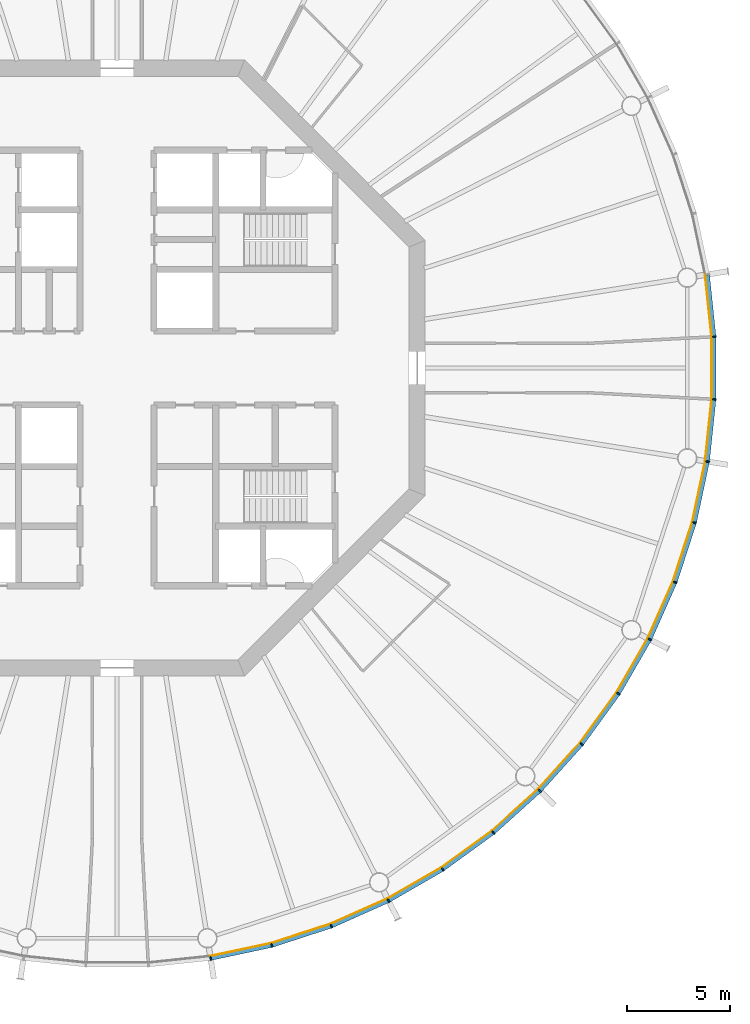
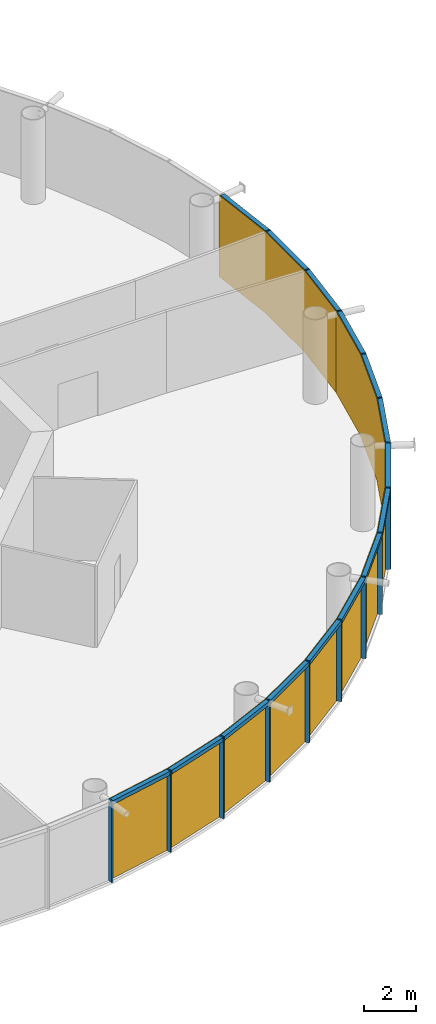
# One storey, part 13 of 17: 30 members, 5 curtain walls.
"""IFC4 building model written with IfcOpenShell, lengths in metres."""

import ifcopenshell
import ifcopenshell.guid

model = None  # the IFC model being written
_history = None  # IfcOwnerHistory: only IFC2X3 demands one
_inside = {}  # id of a spatial element -> (the spatial element, [elements in it])
_under = {}  # id of a project, library or spatial element -> (it, [spatial elements below it])
_declared = {}  # id of a project -> (the project, [libraries it declares])
_typed = {}  # id of a type object -> (the type object, [elements of that type])
_made_of = {}  # id of a material, layer set ... -> (it, [elements and type objects made of it])


def new_model(schema):
    """Start an empty IFC model of exactly this schema.

    Asked for "IFC4X3", IfcOpenShell would pick the latest addendum, in which some entities
    have other attributes; the version numbers below select the first issue.
    IFC2X3 requires an IfcOwnerHistory on every rooted entity: one is made here for all.
    """
    global model, _history
    if schema == "IFC4X3":
        model = ifcopenshell.file(schema_version=(4, 3, 0, 0))
    else:
        model = ifcopenshell.file(schema=schema)
    _inside.clear()
    _under.clear()
    _declared.clear()
    _typed.clear()
    _made_of.clear()
    _history = None
    if model.schema == "IFC2X3":
        org = make("IfcOrganization", Name="unknown")
        user = make(
            "IfcPersonAndOrganization",
            ThePerson=make("IfcPerson", FamilyName="unknown"),
            TheOrganization=org,
        )
        app = make(
            "IfcApplication",
            ApplicationDeveloper=org,
            Version="unknown",
            ApplicationFullName="unknown",
            ApplicationIdentifier="unknown",
        )
        _history = make(
            "IfcOwnerHistory",
            OwningUser=user,
            OwningApplication=app,
            ChangeAction="ADDED",
            CreationDate=0,
        )
    return model


def make(cls, **values):
    """One entity of the class cls with the attributes given. An attribute that is None is left unset."""
    return model.create_entity(
        cls, **{name: value for name, value in values.items() if value is not None}
    )


def rooted(cls, **values):
    """An entity with a GlobalId (a new one), such as an element, a storey or a relation."""
    return make(cls, GlobalId=ifcopenshell.guid.new(), OwnerHistory=_history, **values)


def si_unit(unit_type, name, prefix=None):
    """IfcSIUnit, for example si_unit("LENGTHUNIT", "METRE", prefix="MILLI")."""
    return make("IfcSIUnit", UnitType=unit_type, Prefix=prefix, Name=name)


def assignment(units):
    """IfcUnitAssignment: the units of a project."""
    return None if units is None else make("IfcUnitAssignment", Units=units)


def point(xyz):
    """IfcCartesianPoint."""
    return None if xyz is None else make("IfcCartesianPoint", Coordinates=xyz)


def direction(xyz):
    """IfcDirection."""
    return None if xyz is None else make("IfcDirection", DirectionRatios=xyz)


def frame(location, z_axis=None, x_axis=None):
    """IfcAxis2Placement3D, a coordinate frame: its origin and axes. An axis left out is left unset."""
    return make(
        "IfcAxis2Placement3D",
        Location=point(location),
        Axis=direction(z_axis),
        RefDirection=direction(x_axis),
    )


def frame_2d(location, x_axis=None):
    """IfcAxis2Placement2D, a coordinate frame in the plane: its origin and x axis."""
    return make(
        "IfcAxis2Placement2D", Location=point(location), RefDirection=direction(x_axis)
    )


def origin():
    """The frame at (0, 0, 0) with its axes left unset."""
    return frame((0.0, 0.0, 0.0))


def origin_2d():
    """The frame at (0, 0) in the plane with its x axis left unset."""
    return frame_2d((0.0, 0.0))


def place(relative_to, where):
    """IfcLocalPlacement: puts the frame where relative to a parent placement (None: the world)."""
    return make(
        "IfcLocalPlacement", PlacementRelTo=relative_to, RelativePlacement=where
    )


def context(
    kind, dimensions, precision=None, world=None, true_north=None, identifier=None
):
    """IfcGeometricRepresentationContext, for example the 3D "Model" context."""
    return make(
        "IfcGeometricRepresentationContext",
        ContextIdentifier=identifier,
        ContextType=kind,
        CoordinateSpaceDimension=dimensions,
        Precision=precision,
        WorldCoordinateSystem=world,
        TrueNorth=true_north,
    )


def subcontext(parent, identifier, kind, view, scale=None):
    """IfcGeometricRepresentationSubContext, for example "Body" below "Model"."""
    return make(
        "IfcGeometricRepresentationSubContext",
        ContextIdentifier=identifier,
        ContextType=kind,
        ParentContext=parent,
        TargetScale=scale,
        TargetView=view,
    )


def project(units=None, contexts=None):
    """IfcProject with its units and contexts."""
    return rooted(
        "IfcProject",
        Name="project",
        RepresentationContexts=contexts,
        UnitsInContext=assignment(units),
    )


def spatial(cls, under=None, at=None, **own):
    """A site, building, storey or space (cls), placed at a placement, below another one or the project."""
    s = rooted(cls, ObjectPlacement=at, **own)
    if under is not None:
        _under.setdefault(under.id(), (under, []))[1].append(s)
    return s


def polyline(points):
    """IfcPolyline through the points."""
    return make("IfcPolyline", Points=[point(p) for p in points])


def profile(cls, at=None, kind="AREA", **sizes):
    """A parametric profile (cls). Its sizes go by their IFC names, for example OverallWidth=200.0."""
    return make(cls, ProfileType=kind, Position=at, **sizes)


def rectangle(**sizes):
    """IfcRectangleProfileDef."""
    return profile("IfcRectangleProfileDef", **sizes)


def outline(outer, holes=None, kind="AREA"):
    """IfcArbitraryClosedProfileDef: a profile drawn as a closed curve; with holes, ...WithVoids."""
    if holes is None:
        return make("IfcArbitraryClosedProfileDef", ProfileType=kind, OuterCurve=outer)
    return make(
        "IfcArbitraryProfileDefWithVoids",
        ProfileType=kind,
        OuterCurve=outer,
        InnerCurves=holes,
    )


def extrude(swept, where, along, depth):
    """IfcExtrudedAreaSolid: the profile swept, set in the frame where, extruded along a direction by depth."""
    return make(
        "IfcExtrudedAreaSolid",
        SweptArea=swept,
        Position=where,
        ExtrudedDirection=direction(along),
        Depth=depth,
    )


def shape(context_of_items, identifier, shape_type, items):
    """IfcShapeRepresentation: the items that make up one representation, for example the "Body"."""
    return make(
        "IfcShapeRepresentation",
        ContextOfItems=context_of_items,
        RepresentationIdentifier=identifier,
        RepresentationType=shape_type,
        Items=items,
    )


def material(Name=None, Category=None):
    """IfcMaterial."""
    return make("IfcMaterial", Name=Name, Category=Category)


def layer(
    of_material, thickness, ventilated=None, Name=None, Category=None, Priority=None
):
    """IfcMaterialLayer: one layer of a wall or slab, of a material (None: an air gap)."""
    return make(
        "IfcMaterialLayer",
        Material=of_material,
        LayerThickness=thickness,
        IsVentilated=ventilated,
        Name=Name,
        Category=Category,
        Priority=Priority,
    )


def layer_set(layers, Name=None):
    """IfcMaterialLayerSet."""
    return make("IfcMaterialLayerSet", MaterialLayers=layers, LayerSetName=Name)


def material_profile(
    of_material, cross_section, Name=None, Category=None, Priority=None
):
    """IfcMaterialProfile: a cross section and its material."""
    return make(
        "IfcMaterialProfile",
        Name=Name,
        Material=of_material,
        Profile=cross_section,
        Priority=Priority,
        Category=Category,
    )


def profile_set(profiles, Name=None, composite=None):
    """IfcMaterialProfileSet."""
    return make(
        "IfcMaterialProfileSet",
        Name=Name,
        MaterialProfiles=profiles,
        CompositeProfile=composite,
    )


def made_of(thing, what):
    """Note that an element or type object is made of a material, layer set ...; save() writes the relation."""
    if what is not None:
        _made_of.setdefault(what.id(), (what, []))[1].append(thing)
    return thing


def type_object(cls, material=None, **own):
    """A type object (cls), such as IfcWallType, which elements share."""
    return made_of(rooted(cls, **own), material)


def element(
    cls,
    number,
    at=None,
    inside=None,
    cuts=None,
    type_object=None,
    material=None,
    context=None,
    identifier="Body",
    shape_type=None,
    held_by="IfcProductDefinitionShape",
    body=None,
    shapes=None,
    **own,
):
    """One element of the class cls, such as IfcWall. Its Tag is "e" and its number.

    at: its placement. inside: the storey or other place that contains it. cuts: it is an
    opening in that element (IfcRelVoidsElement). A single representation is given by context,
    identifier, shape_type and body (its items); several are given by shapes. held_by: the class
    of the entity that holds the representations. save() writes the other relations.
    """
    e = rooted(cls, Tag="e%d" % number, ObjectPlacement=at, **own)
    if body is not None:
        shapes = [shape(context, identifier, shape_type, body)]
    if shapes is not None:
        e.Representation = make(held_by, Representations=shapes)
    if inside is not None:
        _inside.setdefault(inside.id(), (inside, []))[1].append(e)
    if cuts is not None:
        rooted(
            "IfcRelVoidsElement", RelatingBuildingElement=cuts, RelatedOpeningElement=e
        )
    if type_object is not None:
        _typed.setdefault(type_object.id(), (type_object, []))[1].append(e)
    return made_of(e, material)


def aggregate(whole, parts):
    """IfcRelAggregates: a whole, such as a stair, and the parts it consists of."""
    return rooted("IfcRelAggregates", RelatingObject=whole, RelatedObjects=parts)


def save(model, path):
    """Write the relations noted so far, then the file.

    IfcRelAggregates (storeys below a building ...), IfcRelContainedInSpatialStructure (elements
    in a storey), IfcRelDefinesByType, IfcRelAssociatesMaterial and IfcRelDeclares: one each for
    every whole, place, type object, material and project.
    """
    for whole, parts in _under.values():
        aggregate(whole, parts)
    for where, things in _inside.values():
        rooted(
            "IfcRelContainedInSpatialStructure",
            RelatedElements=things,
            RelatingStructure=where,
        )
    for kind, things in _typed.values():
        rooted("IfcRelDefinesByType", RelatedObjects=things, RelatingType=kind)
    for what, things in _made_of.values():
        rooted("IfcRelAssociatesMaterial", RelatedObjects=things, RelatingMaterial=what)
    for by, libraries in _declared.values():
        rooted("IfcRelDeclares", RelatingContext=by, RelatedDefinitions=libraries)
    model.write(path)


model = new_model("IFC4")

# Units and contexts
model_context = context("Model", 3, precision=1e-05, world=origin(), true_north=direction((0.0, 1.0)))
body_context = subcontext(model_context, "Body", "Model", "MODEL_VIEW")
ifc_project = project(units=[si_unit("LENGTHUNIT", "METRE"), si_unit("AREAUNIT", "SQUARE_METRE"), si_unit("VOLUMEUNIT", "CUBIC_METRE"), si_unit("PLANEANGLEUNIT", "RADIAN"), si_unit("MASSUNIT", "GRAM", prefix="KILO")], contexts=[model_context])

# Member
ifc_material_1 = material(Name="Anodised aluminium", Category="aluminium")
ifc_material_profile_1 = material_profile(ifc_material_1, rectangle(XDim=0.06494140625, YDim=0.195068359375, at=origin_2d()), Name="Mullion 65 x 195 mm anodised aluminium")
ifc_profile_set_1 = profile_set([ifc_material_profile_1], Name="Anodised aluminium")
member_type_1 = type_object("IfcMemberType", Name="Mullion 65 x 195 mm anodised aluminium", PredefinedType="MULLION", material=ifc_profile_set_1)
site_placement = place(None, origin())
building_placement = place(site_placement, origin())
storey_placement = place(building_placement, frame((0.0, 0.0, 306.0)))
member_1_placement = place(storey_placement, frame((94.5517578125, 51.2607421875, 0.0), z_axis=(0.0, 0.0, 1.0), x_axis=(0.987688340595, 0.15643446504, 0.0)))
member_1 = element("IfcMember", 1, at=member_1_placement, type_object=member_type_1, Name="MULLION L70-45", PredefinedType="MULLION", context=body_context, shape_type="SweptSolid", body=[
    extrude(rectangle(XDim=0.06494140625, YDim=0.195068359375, at=origin_2d()), origin(), (0.0, 0.0, 1.0), 3.85009765625),
])

member_2_placement = place(storey_placement, frame((97.531005859375, 51.89404296875, 0.0), z_axis=(0.0, 0.0, 1.0), x_axis=(0.965925826289, 0.258819045103, 0.0)))
member_2 = element("IfcMember", 2, at=member_2_placement, type_object=member_type_1, Name="MULLION L70-46", PredefinedType="MULLION", context=body_context, shape_type="SweptSolid", body=[
    extrude(rectangle(XDim=0.06494140625, YDim=0.195068359375, at=origin_2d()), origin(), (0.0, 0.0, 1.0), 3.85009765625),
])

member_3_placement = place(storey_placement, frame((100.427490234375, 52.835205078125, 0.0), z_axis=(0.0, 0.0, 1.0), x_axis=(0.933580426497, 0.358367949545, 0.0)))
member_3 = element("IfcMember", 3, at=member_3_placement, type_object=member_type_1, Name="MULLION L70-47", PredefinedType="MULLION", context=body_context, shape_type="SweptSolid", body=[
    extrude(rectangle(XDim=0.06494140625, YDim=0.195068359375, at=origin_2d()), origin(), (0.0, 0.0, 1.0), 3.85009765625),
])

member_4_placement = place(storey_placement, frame((103.2099609375, 54.073974609375, 0.0), z_axis=(0.0, 0.0, 1.0), x_axis=(0.891006524188, 0.45399049974, 0.0)))
member_4 = element("IfcMember", 4, at=member_4_placement, type_object=member_type_1, Name="MULLION L70-48", PredefinedType="MULLION", context=body_context, shape_type="SweptSolid", body=[
    extrude(rectangle(XDim=0.06494140625, YDim=0.195068359375, at=origin_2d()), origin(), (0.0, 0.0, 1.0), 3.85009765625),
])

member_5_placement = place(storey_placement, frame((105.84765625, 55.5966796875, 0.0), z_axis=(0.0, 0.0, 1.0), x_axis=(0.838670567945, 0.544639035015, 0.0)))
member_5 = element("IfcMember", 5, at=member_5_placement, type_object=member_type_1, Name="MULLION L70-49", PredefinedType="MULLION", context=body_context, shape_type="SweptSolid", body=[
    extrude(rectangle(XDim=0.06494140625, YDim=0.195068359375, at=origin_2d()), origin(), (0.0, 0.0, 1.0), 3.85009765625),
])

member_6_placement = place(storey_placement, frame((108.311767578125, 57.386962890625, 0.0), z_axis=(0.0, 0.0, 1.0), x_axis=(0.777145961457, 0.62932039105, 0.0)))
member_6 = element("IfcMember", 6, at=member_6_placement, type_object=member_type_1, Name="MULLION L70-50", PredefinedType="MULLION", context=body_context, shape_type="SweptSolid", body=[
    extrude(rectangle(XDim=0.06494140625, YDim=0.195068359375, at=origin_2d()), origin(), (0.0, 0.0, 1.0), 3.85009765625),
])

member_7_placement = place(storey_placement, frame((110.574951171875, 59.425048828125, 0.0), z_axis=(0.0, 0.0, 1.0), x_axis=(0.707106781187, 0.707106781187, 0.0)))
member_7 = element("IfcMember", 7, at=member_7_placement, type_object=member_type_1, Name="MULLION L70-51", PredefinedType="MULLION", context=body_context, shape_type="SweptSolid", body=[
    extrude(rectangle(XDim=0.06494140625, YDim=0.195068359375, at=origin_2d()), origin(), (0.0, 0.0, 1.0), 3.85009765625),
])

member_8_placement = place(storey_placement, frame((112.613037109375, 61.688232421875, 0.0), z_axis=(0.0, 0.0, 1.0), x_axis=(0.62932039105, 0.777145961457, 0.0)))
member_8 = element("IfcMember", 8, at=member_8_placement, type_object=member_type_1, Name="MULLION L70-52", PredefinedType="MULLION", context=body_context, shape_type="SweptSolid", body=[
    extrude(rectangle(XDim=0.06494140625, YDim=0.195068359375, at=origin_2d()), origin(), (0.0, 0.0, 1.0), 3.85009765625),
])

member_9_placement = place(storey_placement, frame((114.4033203125, 64.15234375, 0.0), z_axis=(0.0, 0.0, 1.0), x_axis=(0.544639035015, 0.838670567945, 0.0)))
member_9 = element("IfcMember", 9, at=member_9_placement, type_object=member_type_1, Name="MULLION L70-53", PredefinedType="MULLION", context=body_context, shape_type="SweptSolid", body=[
    extrude(rectangle(XDim=0.06494140625, YDim=0.195068359375, at=origin_2d()), origin(), (0.0, 0.0, 1.0), 3.85009765625),
])

member_10_placement = place(storey_placement, frame((115.926025390625, 66.7900390625, 0.0), z_axis=(0.0, 0.0, 1.0), x_axis=(0.45399049974, 0.891006524188, 0.0)))
member_10 = element("IfcMember", 10, at=member_10_placement, type_object=member_type_1, Name="MULLION L70-54", PredefinedType="MULLION", context=body_context, shape_type="SweptSolid", body=[
    extrude(rectangle(XDim=0.06494140625, YDim=0.195068359375, at=origin_2d()), origin(), (0.0, 0.0, 1.0), 3.85009765625),
])

member_11_placement = place(storey_placement, frame((117.164794921875, 69.572509765625, 0.0), z_axis=(0.0, 0.0, 1.0), x_axis=(0.358367949545, 0.933580426497, 0.0)))
member_11 = element("IfcMember", 11, at=member_11_placement, type_object=member_type_1, Name="MULLION L70-55", PredefinedType="MULLION", context=body_context, shape_type="SweptSolid", body=[
    extrude(rectangle(XDim=0.06494140625, YDim=0.195068359375, at=origin_2d()), origin(), (0.0, 0.0, 1.0), 3.85009765625),
])

member_12_placement = place(storey_placement, frame((118.10595703125, 72.468994140625, 0.0), z_axis=(0.0, 0.0, 1.0), x_axis=(0.258819045103, 0.965925826289, 0.0)))
member_12 = element("IfcMember", 12, at=member_12_placement, type_object=member_type_1, Name="MULLION L70-56", PredefinedType="MULLION", context=body_context, shape_type="SweptSolid", body=[
    extrude(rectangle(XDim=0.06494140625, YDim=0.195068359375, at=origin_2d()), origin(), (0.0, 0.0, 1.0), 3.85009765625),
])

member_13_placement = place(storey_placement, frame((118.7392578125, 75.4482421875, 0.0), z_axis=(0.0, 0.0, 1.0), x_axis=(0.15643446504, 0.987688340595, 0.0)))
member_13 = element("IfcMember", 13, at=member_13_placement, type_object=member_type_1, Name="MULLION L70-57", PredefinedType="MULLION", context=body_context, shape_type="SweptSolid", body=[
    extrude(rectangle(XDim=0.06494140625, YDim=0.195068359375, at=origin_2d()), origin(), (0.0, 0.0, 1.0), 3.85009765625),
])

member_14_placement = place(storey_placement, frame((119.0576171875, 78.47705078125, 0.0), z_axis=(0.0, 0.0, 1.0), x_axis=(0.052335956243, 0.998629534755, 0.0)))
member_14 = element("IfcMember", 14, at=member_14_placement, type_object=member_type_1, Name="MULLION L70-58", PredefinedType="MULLION", context=body_context, shape_type="SweptSolid", body=[
    extrude(rectangle(XDim=0.06494140625, YDim=0.195068359375, at=origin_2d()), origin(), (0.0, 0.0, 1.0), 3.85009765625),
])

member_15_placement = place(storey_placement, frame((119.0576171875, 81.52294921875, 0.0), z_axis=(0.0, 0.0, 1.0), x_axis=(-0.052335956243, 0.998629534755, 0.0)))
member_15 = element("IfcMember", 15, at=member_15_placement, type_object=member_type_1, Name="MULLION L70-59", PredefinedType="MULLION", context=body_context, shape_type="SweptSolid", body=[
    extrude(rectangle(XDim=0.06494140625, YDim=0.195068359375, at=origin_2d()), origin(), (0.0, 0.0, 1.0), 3.85009765625),
])

ifc_material_2 = material(Name="Anodised aluminium", Category="aluminium")
ifc_material_profile_2 = material_profile(ifc_material_2, rectangle(XDim=0.195068359375, YDim=0.179931640625, at=origin_2d()), Name="Transom 180 x 195 mm anodised aluminium")
ifc_profile_set_2 = profile_set([ifc_material_profile_2], Name="Anodised aluminium")
member_type_2 = type_object("IfcMemberType", Name="Transom 180 x 195 mm anodised aluminium", PredefinedType="USERDEFINED", material=ifc_profile_set_2)
member_16_placement = place(storey_placement, frame((94.588623046875, 51.268310546875, 3.760009765625), z_axis=(0.978141510112, 0.207940342877, 0.0), x_axis=(-0.207940342877, 0.978141510112, 0.0)))
member_16 = element("IfcMember", 16, at=member_16_placement, type_object=member_type_2, Name="TRANSOM L70-45", ObjectType="TRANSOM", PredefinedType="USERDEFINED", context=body_context, shape_type="SweptSolid", body=[
    extrude(rectangle(XDim=0.195068359375, YDim=0.179931640625, at=origin_2d()), origin(), (0.0, 0.0, 1.0), 2.970458984375),
])

member_17_placement = place(storey_placement, frame((97.56689453125, 51.905517578125, 3.760009765625), z_axis=(0.951047960094, 0.309043326415, 0.0), x_axis=(-0.309043326415, 0.951047960094, 0.0)))
member_17 = element("IfcMember", 17, at=member_17_placement, type_object=member_type_2, Name="TRANSOM L70-46", ObjectType="TRANSOM", PredefinedType="USERDEFINED", context=body_context, shape_type="SweptSolid", body=[
    extrude(rectangle(XDim=0.195068359375, YDim=0.179931640625, at=origin_2d()), origin(), (0.0, 0.0, 1.0), 2.970458984375),
])

member_18_placement = place(storey_placement, frame((100.4619140625, 52.850341796875, 3.760009765625), z_axis=(0.913550406593, 0.406725527369, 0.0), x_axis=(-0.406725527369, 0.913550406593, 0.0)))
member_18 = element("IfcMember", 18, at=member_18_placement, type_object=member_type_2, Name="TRANSOM L70-47", ObjectType="TRANSOM", PredefinedType="USERDEFINED", context=body_context, shape_type="SweptSolid", body=[
    extrude(rectangle(XDim=0.195068359375, YDim=0.179931640625, at=origin_2d()), origin(), (0.0, 0.0, 1.0), 2.970703125),
])

member_19_placement = place(storey_placement, frame((103.24267578125, 54.092529296875, 3.760009765625), z_axis=(0.866009025146, 0.500028367561, 0.0), x_axis=(-0.500028367561, 0.866009025146, 0.0)))
member_19 = element("IfcMember", 19, at=member_19_placement, type_object=member_type_2, Name="TRANSOM L70-48", ObjectType="TRANSOM", PredefinedType="USERDEFINED", context=body_context, shape_type="SweptSolid", body=[
    extrude(rectangle(XDim=0.195068359375, YDim=0.179931640625, at=origin_2d()), origin(), (0.0, 0.0, 1.0), 2.970458984375),
])

member_20_placement = place(storey_placement, frame((105.878173828125, 55.618896484375, 3.760009765625), z_axis=(0.809030990733, 0.587765987476, 0.0), x_axis=(-0.587765987476, 0.809030990733, 0.0)))
member_20 = element("IfcMember", 20, at=member_20_placement, type_object=member_type_2, Name="TRANSOM L70-49", ObjectType="TRANSOM", PredefinedType="USERDEFINED", context=body_context, shape_type="SweptSolid", body=[
    extrude(rectangle(XDim=0.195068359375, YDim=0.179931640625, at=origin_2d()), origin(), (0.0, 0.0, 1.0), 2.97021484375),
])

member_21_placement = place(storey_placement, frame((108.339599609375, 57.412109375, 3.760009765625), z_axis=(0.743163354343, 0.669110027395, 0.0), x_axis=(-0.669110027395, 0.743163354343, 0.0)))
member_21 = element("IfcMember", 21, at=member_21_placement, type_object=member_type_2, Name="TRANSOM L70-50", ObjectType="TRANSOM", PredefinedType="USERDEFINED", context=body_context, shape_type="SweptSolid", body=[
    extrude(rectangle(XDim=0.195068359375, YDim=0.179931640625, at=origin_2d()), origin(), (0.0, 0.0, 1.0), 2.970458984375),
])

member_22_placement = place(storey_placement, frame((110.600341796875, 59.452880859375, 3.760009765625), z_axis=(0.669110027395, 0.743163354343, 0.0), x_axis=(-0.743163354343, 0.669110027395, 0.0)))
member_22 = element("IfcMember", 22, at=member_22_placement, type_object=member_type_2, Name="TRANSOM L70-51", ObjectType="TRANSOM", PredefinedType="USERDEFINED", context=body_context, shape_type="SweptSolid", body=[
    extrude(rectangle(XDim=0.195068359375, YDim=0.179931640625, at=origin_2d()), origin(), (0.0, 0.0, 1.0), 2.970458984375),
])

member_23_placement = place(storey_placement, frame((112.63525390625, 61.71875, 3.760009765625), z_axis=(0.587765987476, 0.809030990733, 0.0), x_axis=(-0.809030990733, 0.587765987476, 0.0)))
member_23 = element("IfcMember", 23, at=member_23_placement, type_object=member_type_2, Name="TRANSOM L70-52", ObjectType="TRANSOM", PredefinedType="USERDEFINED", context=body_context, shape_type="SweptSolid", body=[
    extrude(rectangle(XDim=0.195068359375, YDim=0.179931640625, at=origin_2d()), origin(), (0.0, 0.0, 1.0), 2.97021484375),
])

member_24_placement = place(storey_placement, frame((114.422119140625, 64.184814453125, 3.760009765625), z_axis=(0.500028367561, 0.866009025146, 0.0), x_axis=(-0.866009025146, 0.500028367561, 0.0)))
member_24 = element("IfcMember", 24, at=member_24_placement, type_object=member_type_2, Name="TRANSOM L70-53", ObjectType="TRANSOM", PredefinedType="USERDEFINED", context=body_context, shape_type="SweptSolid", body=[
    extrude(rectangle(XDim=0.195068359375, YDim=0.179931640625, at=origin_2d()), origin(), (0.0, 0.0, 1.0), 2.970458984375),
])

member_25_placement = place(storey_placement, frame((115.94140625, 66.82421875, 3.760009765625), z_axis=(0.406725527369, 0.913550406593, 0.0), x_axis=(-0.913550406593, 0.406725527369, 0.0)))
member_25 = element("IfcMember", 25, at=member_25_placement, type_object=member_type_2, Name="TRANSOM L70-54", ObjectType="TRANSOM", PredefinedType="USERDEFINED", context=body_context, shape_type="SweptSolid", body=[
    extrude(rectangle(XDim=0.195068359375, YDim=0.179931640625, at=origin_2d()), origin(), (0.0, 0.0, 1.0), 2.970703125),
])

member_26_placement = place(storey_placement, frame((117.176513671875, 69.608154296875, 3.760009765625), z_axis=(0.309043326415, 0.951047960094, 0.0), x_axis=(-0.951047960094, 0.309043326415, 0.0)))
member_26 = element("IfcMember", 26, at=member_26_placement, type_object=member_type_2, Name="TRANSOM L70-55", ObjectType="TRANSOM", PredefinedType="USERDEFINED", context=body_context, shape_type="SweptSolid", body=[
    extrude(rectangle(XDim=0.195068359375, YDim=0.179931640625, at=origin_2d()), origin(), (0.0, 0.0, 1.0), 2.970458984375),
])

member_27_placement = place(storey_placement, frame((118.114013671875, 72.505859375, 3.760009765625), z_axis=(0.207940342877, 0.978141510112, 0.0), x_axis=(-0.978141510112, 0.207940342877, 0.0)))
member_27 = element("IfcMember", 27, at=member_27_placement, type_object=member_type_2, Name="TRANSOM L70-56", ObjectType="TRANSOM", PredefinedType="USERDEFINED", context=body_context, shape_type="SweptSolid", body=[
    extrude(rectangle(XDim=0.195068359375, YDim=0.179931640625, at=origin_2d()), origin(), (0.0, 0.0, 1.0), 2.970458984375),
])

member_28_placement = place(storey_placement, frame((118.743408203125, 75.485595703125, 3.760009765625), z_axis=(0.104466577987, 0.994528397827, 0.0), x_axis=(-0.994528397827, 0.104466577987, 0.0)))
member_28 = element("IfcMember", 28, at=member_28_placement, type_object=member_type_2, Name="TRANSOM L70-57", ObjectType="TRANSOM", PredefinedType="USERDEFINED", context=body_context, shape_type="SweptSolid", body=[
    extrude(rectangle(XDim=0.195068359375, YDim=0.179931640625, at=origin_2d()), origin(), (0.0, 0.0, 1.0), 2.970458984375),
])

member_29_placement = place(storey_placement, frame((119.057861328125, 78.5146484375, 3.760009765625), z_axis=(0.0, 1.0, 0.0), x_axis=(-1.0, 0.0, 0.0)))
member_29 = element("IfcMember", 29, at=member_29_placement, type_object=member_type_2, Name="TRANSOM L70-58", ObjectType="TRANSOM", PredefinedType="USERDEFINED", context=body_context, shape_type="SweptSolid", body=[
    extrude(rectangle(XDim=0.195068359375, YDim=0.179931640625, at=origin_2d()), origin(), (0.0, 0.0, 1.0), 2.970703125),
])

member_30_placement = place(storey_placement, frame((119.0537109375, 81.560302734375, 3.760009765625), z_axis=(-0.104466577987, 0.994528397827, 0.0), x_axis=(-0.994528397827, -0.104466577987, 0.0)))
member_30 = element("IfcMember", 30, at=member_30_placement, type_object=member_type_2, Name="TRANSOM L70-59", ObjectType="TRANSOM", PredefinedType="USERDEFINED", context=body_context, shape_type="SweptSolid", body=[
    extrude(rectangle(XDim=0.195068359375, YDim=0.179931640625, at=origin_2d()), origin(), (0.0, 0.0, 1.0), 2.970458984375),
])

# Site, building, storey
site = spatial("IfcSite", under=ifc_project, at=site_placement, CompositionType="ELEMENT")
building = spatial("IfcBuilding", under=site, at=building_placement, Name="Entoto Ring Tower", CompositionType="ELEMENT")
storey = spatial("IfcBuildingStorey", under=building, at=storey_placement, Name="L70", CompositionType="ELEMENT", Elevation=306.0)

# Curtain wall
ifc_material_3 = material(Name="Clear low-iron glass", Category="glass")
ifc_layer = layer(ifc_material_3, 0.033935546875)
ifc_layer_set = layer_set([ifc_layer], Name="Clear low-iron glass")
curtain_wall_type = type_object("IfcCurtainWallType", Name="Curtain wall system CW5 glazing 34 mm", PredefinedType="NOTDEFINED", material=ifc_layer_set)
curtain_wall_1_placement = place(storey_placement, origin())
curtain_wall_1 = element("IfcCurtainWall", 31, at=curtain_wall_1_placement, inside=storey, type_object=curtain_wall_type, Name="CW5 L70-16", PredefinedType="NOTDEFINED", context=body_context, shape_type="SweptSolid", body=[
    extrude(outline(polyline([(94.53662109375, 51.35693359375), (97.505859375, 51.988037109375), (100.392578125, 52.92626953125), (103.165771484375, 54.160888671875), (103.150146484375, 54.191162109375), (100.38037109375, 52.9580078125), (97.496826171875, 52.02099609375), (94.53125, 51.390625), (94.53662109375, 51.35693359375)])), origin(), (0.0, 0.0, 1.0), 3.85009765625),
])

aggregate(curtain_wall_1, [member_1, member_2, member_3, member_16, member_17, member_18])

curtain_wall_2_placement = place(storey_placement, origin())
curtain_wall_2 = element("IfcCurtainWall", 32, at=curtain_wall_2_placement, inside=storey, type_object=curtain_wall_type, Name="CW5 L70-17", PredefinedType="NOTDEFINED", context=body_context, shape_type="SweptSolid", body=[
    extrude(outline(polyline([(103.165771484375, 54.160888671875), (105.79443359375, 55.678466796875), (108.250244140625, 57.462646484375), (110.506103515625, 59.493896484375), (110.48193359375, 59.51806640625), (108.228759765625, 57.4892578125), (105.77587890625, 55.70703125), (103.150146484375, 54.191162109375), (103.165771484375, 54.160888671875)])), origin(), (0.0, 0.0, 1.0), 3.85009765625),
])

aggregate(curtain_wall_2, [member_4, member_5, member_6, member_19, member_20, member_21])

curtain_wall_3_placement = place(storey_placement, origin())
curtain_wall_3 = element("IfcCurtainWall", 33, at=curtain_wall_3_placement, inside=storey, type_object=curtain_wall_type, Name="CW5 L70-18", PredefinedType="NOTDEFINED", context=body_context, shape_type="SweptSolid", body=[
    extrude(outline(polyline([(110.506103515625, 59.493896484375), (112.537353515625, 61.749755859375), (114.321533203125, 64.20556640625), (115.839111328125, 66.834228515625), (115.808837890625, 66.849853515625), (114.29296875, 64.22412109375), (112.5107421875, 61.771240234375), (110.48193359375, 59.51806640625), (110.506103515625, 59.493896484375)])), origin(), (0.0, 0.0, 1.0), 3.85009765625),
])

aggregate(curtain_wall_3, [member_7, member_8, member_9, member_22, member_23, member_24])

curtain_wall_4_placement = place(storey_placement, origin())
curtain_wall_4 = element("IfcCurtainWall", 34, at=curtain_wall_4_placement, inside=storey, type_object=curtain_wall_type, Name="CW5 L70-19", PredefinedType="NOTDEFINED", context=body_context, shape_type="SweptSolid", body=[
    extrude(outline(polyline([(115.839111328125, 66.834228515625), (117.07373046875, 69.607421875), (118.011962890625, 72.494140625), (118.64306640625, 75.46337890625), (118.609375, 75.46875), (117.97900390625, 72.503173828125), (117.0419921875, 69.61962890625), (115.808837890625, 66.849853515625), (115.839111328125, 66.834228515625)])), origin(), (0.0, 0.0, 1.0), 3.85009765625),
])

aggregate(curtain_wall_4, [member_10, member_11, member_12, member_25, member_26, member_27])

curtain_wall_5_placement = place(storey_placement, origin())
curtain_wall_5 = element("IfcCurtainWall", 35, at=curtain_wall_5_placement, inside=storey, type_object=curtain_wall_type, Name="CW5 L70-20", PredefinedType="NOTDEFINED", context=body_context, shape_type="SweptSolid", body=[
    extrude(outline(polyline([(118.64306640625, 75.46337890625), (118.960205078125, 78.482177734375), (118.960205078125, 81.517822265625), (118.64306640625, 84.53662109375), (118.609375, 84.53125), (118.92626953125, 81.515869140625), (118.92626953125, 78.484130859375), (118.609375, 75.46875), (118.64306640625, 75.46337890625)])), origin(), (0.0, 0.0, 1.0), 3.85009765625),
])

aggregate(curtain_wall_5, [member_13, member_14, member_15, member_28, member_29, member_30])

save(model, "model.ifc")
